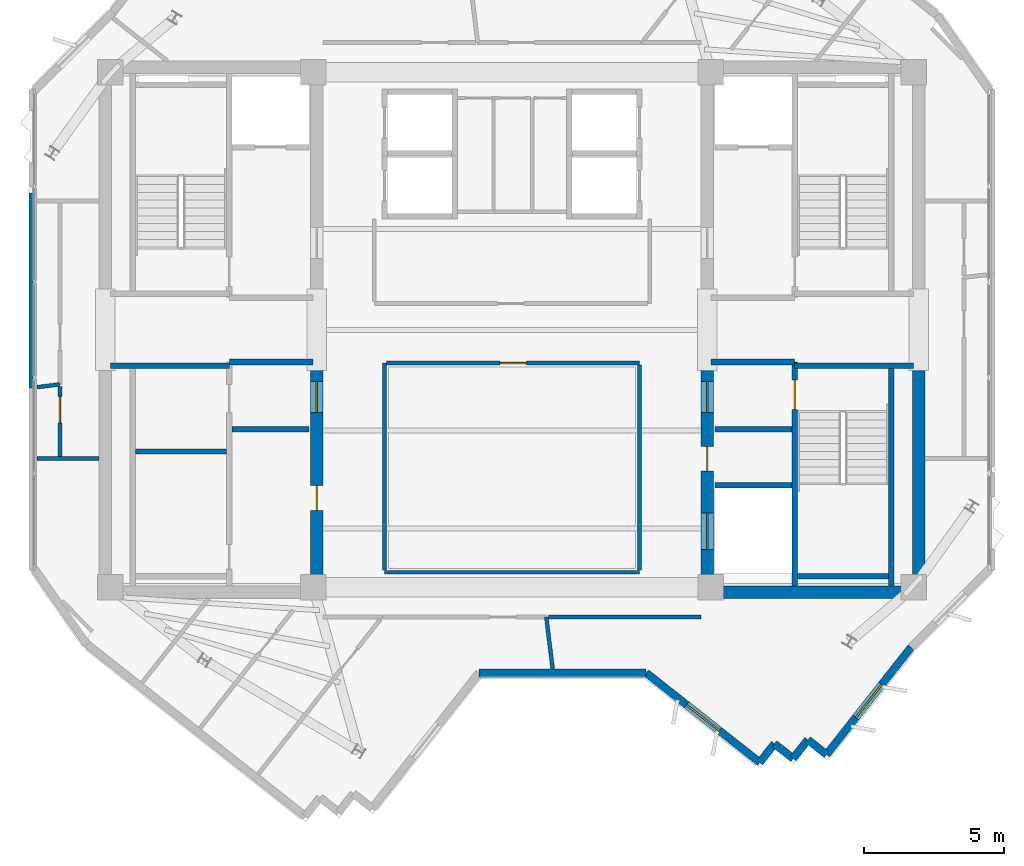
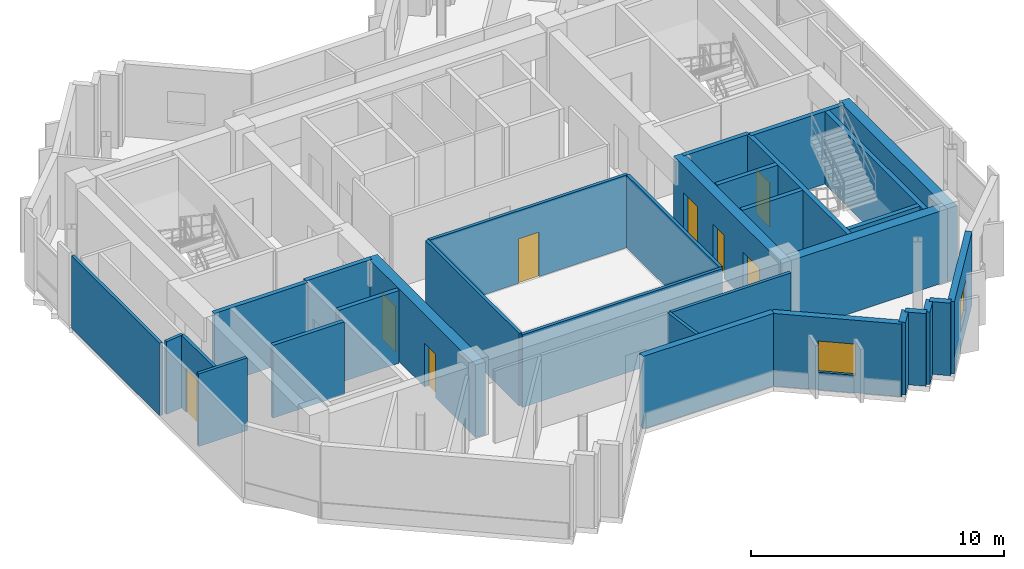
# One storey, part 5 of 10: 32 walls, 8 doors, 2 windows, 10 openings.
"""IFC4 building model written with IfcOpenShell, lengths in metres."""

from ifc_helpers import new_model, si_unit, direction, frame, frame_2d, origin, place, context, subcontext, project, spatial, rectangle, extrude, source, transform, mapped, material, layer, layer_set, type_object, element, fill, save


model = new_model("IFC4")

# Units and contexts
model_context = context("Model", 3, precision=1e-05, world=origin(), true_north=direction((0.0, 1.0)))
body_context = subcontext(model_context, "Body", "Model", "MODEL_VIEW")
ifc_project = project(units=[si_unit("LENGTHUNIT", "METRE"), si_unit("AREAUNIT", "SQUARE_METRE"), si_unit("VOLUMEUNIT", "CUBIC_METRE"), si_unit("PLANEANGLEUNIT", "RADIAN"), si_unit("MASSUNIT", "GRAM", prefix="KILO")], contexts=[model_context])

# Site, building, storey
site_placement = place(None, origin())
site = spatial("IfcSite", under=ifc_project, at=site_placement, CompositionType="ELEMENT")
building_placement = place(site_placement, origin())
building = spatial("IfcBuilding", under=site, at=building_placement, Name="Zahravan Cultural Tower", CompositionType="ELEMENT")
storey_placement = place(building_placement, frame((0.0, 0.0, 327.300048828125)))
storey = spatial("IfcBuildingStorey", under=building, at=storey_placement, Name="L79", CompositionType="ELEMENT", Elevation=327.300048828125)

# Wall, openings, doors
ifc_material_1 = material(Name="Concrete C50/60", Category="concrete")
ifc_layer_1 = layer(ifc_material_1, 0.449951171875)
ifc_layer_set_1 = layer_set([ifc_layer_1], Name="Concrete C50/60")
wall_type_1 = type_object("IfcWallType", Name="CW-SHEAR-450-C50", PredefinedType="SHEAR", material=ifc_layer_set_1)
wall_1_placement = place(storey_placement, frame((29.02490234375, 17.39990234375, 0.0), z_axis=(0.0, 0.0, 1.0), x_axis=(0.0, 1.0, 0.0)))
wall_1 = element("IfcWall", 1, at=wall_1_placement, inside=storey, type_object=wall_type_1, Name="L79 Core Shear Wall CW-W-ES-L79", PredefinedType="SHEAR", context=body_context, shape_type="SweptSolid", body=[
    extrude(rectangle(XDim=8.550048828125, YDim=0.449951171875, at=frame_2d((4.27490234375, 0.0))), origin(), (0.0, 0.0, 1.0), 3.5),
])
opening_1_placement = place(wall_1_placement, frame((6.64990234375, 0.0, 0.0)))
opening_1 = element("IfcOpeningElement", 2, at=opening_1_placement, cuts=wall_1, Name="Opening D-L79-08", PredefinedType="OPENING", context=body_context, shape_type="SweptSolid", body=[
    extrude(rectangle(XDim=1.10009765625, YDim=2.199951171875, at=frame_2d((0.550048828125, 1.10009765625))), frame((0.0, 0.23486328125, 0.0), z_axis=(0.0, -1.0, 0.0), x_axis=(1.0, 0.0, 0.0)), (0.0, 0.0, 1.0), 0.469970703125),
])
opening_2_placement = place(wall_1_placement, frame((3.14990234375, 0.0, 0.0)))
opening_2 = element("IfcOpeningElement", 3, at=opening_2_placement, cuts=wall_1, Name="Opening D-L79-10", PredefinedType="OPENING", context=body_context, shape_type="SweptSolid", body=[
    extrude(rectangle(XDim=0.8798828125, YDim=2.10009765625, at=frame_2d((0.43994140625, 1.050048828125))), frame((0.0, 0.23486328125, 0.0), z_axis=(0.0, -1.0, 0.0), x_axis=(1.0, 0.0, 0.0)), (0.0, 0.0, 1.0), 0.469970703125),
])
ifc_material_2 = material(Name="Steel ASTM A572 Grade 50", Category="steel")
door_type_1 = type_object("IfcDoorType", Name="DR-LOBBY-1100", OperationType="NOTDEFINED", PredefinedType="DOOR", material=ifc_material_2)
shared_shape_1 = source(origin(), body_context, "Body", "SweptSolid", [
    extrude(rectangle(XDim=1.10009765625, YDim=2.199951171875, at=frame_2d((0.550048828125, 1.10009765625))), frame((0.0, 0.02490234375, 0.0), z_axis=(0.0, -1.0, 0.0), x_axis=(1.0, 0.0, 0.0)), (0.0, 0.0, 1.0), 0.050048828125),
])
door_1_placement = place(opening_1_placement, origin())
door_1 = element("IfcDoor", 4, at=door_1_placement, inside=storey, type_object=door_type_1, Name="L79 Door D-L79-08", OperationType="SINGLE_SWING_RIGHT", OverallHeight=2.199951171875, OverallWidth=1.10009765625, PredefinedType="DOOR", context=body_context, shape_type="MappedRepresentation", body=[
    mapped(shared_shape_1, transform((0.0, 0.0, 0.0), x_axis=(1.0, 0.0, 0.0), y_axis=(0.0, 1.0, 0.0), z_axis=(0.0, 0.0, 1.0), scale=1.0)),
])
fill(opening_1, door_1)
door_type_2 = type_object("IfcDoorType", Name="DR-SVC-880", OperationType="NOTDEFINED", PredefinedType="DOOR", material=ifc_material_2)
shared_shape_2 = source(origin(), body_context, "Body", "SweptSolid", [
    extrude(rectangle(XDim=0.8798828125, YDim=2.10009765625, at=frame_2d((0.43994140625, 1.050048828125))), frame((0.0, 0.02490234375, 0.0), z_axis=(0.0, -1.0, 0.0), x_axis=(1.0, 0.0, 0.0)), (0.0, 0.0, 1.0), 0.050048828125),
])
door_2_placement = place(opening_2_placement, origin())
door_2 = element("IfcDoor", 5, at=door_2_placement, inside=storey, type_object=door_type_2, Name="L79 Door D-L79-10", OperationType="SINGLE_SWING_RIGHT", OverallHeight=2.10009765625, OverallWidth=0.8798828125, PredefinedType="DOOR", context=body_context, shape_type="MappedRepresentation", body=[
    mapped(shared_shape_2, transform((0.0, 0.0, 0.0), x_axis=(1.0, 0.0, 0.0), y_axis=(0.0, 1.0, 0.0), z_axis=(0.0, 0.0, 1.0), scale=1.0)),
])
fill(opening_2, door_2)

wall_2_placement = place(storey_placement, frame((42.97509765625, 17.39990234375, 0.0), z_axis=(0.0, 0.0, 1.0), x_axis=(0.0, 1.0, 0.0)))
wall_2 = element("IfcWall", 6, at=wall_2_placement, inside=storey, type_object=wall_type_1, Name="L79 Core Shear Wall CW-E-WS-L79", PredefinedType="SHEAR", context=body_context, shape_type="SweptSolid", body=[
    extrude(rectangle(XDim=8.550048828125, YDim=0.449951171875, at=frame_2d((4.27490234375, 0.0))), origin(), (0.0, 0.0, 1.0), 3.5),
])
opening_3_placement = place(wall_2_placement, frame((6.64990234375, 0.0, 0.0)))
opening_3 = element("IfcOpeningElement", 7, at=opening_3_placement, cuts=wall_2, Name="Opening D-L79-09", PredefinedType="OPENING", context=body_context, shape_type="SweptSolid", body=[
    extrude(rectangle(XDim=1.10009765625, YDim=2.199951171875, at=frame_2d((0.550048828125, 1.10009765625))), frame((0.0, 0.23486328125, 0.0), z_axis=(0.0, -1.0, 0.0), x_axis=(1.0, 0.0, 0.0)), (0.0, 0.0, 1.0), 0.469970703125),
])
opening_4_placement = place(wall_2_placement, frame((1.75, 0.0, 0.0)))
opening_4 = element("IfcOpeningElement", 8, at=opening_4_placement, cuts=wall_2, Name="Opening LD-L79-03", PredefinedType="OPENING", context=body_context, shape_type="SweptSolid", body=[
    extrude(rectangle(XDim=1.300048828125, YDim=2.199951171875, at=frame_2d((0.64990234375, 1.10009765625))), frame((0.0, 0.23486328125, 0.0), z_axis=(0.0, -1.0, 0.0), x_axis=(1.0, 0.0, 0.0)), (0.0, 0.0, 1.0), 0.469970703125),
])
opening_5_placement = place(wall_2_placement, frame((4.550048828125, 0.0, 0.0)))
opening_5 = element("IfcOpeningElement", 9, at=opening_5_placement, cuts=wall_2, Name="Opening D-L79-11", PredefinedType="OPENING", context=body_context, shape_type="SweptSolid", body=[
    extrude(rectangle(XDim=0.8798828125, YDim=2.10009765625, at=frame_2d((0.43994140625, 1.050048828125))), frame((0.0, 0.23486328125, 0.0), z_axis=(0.0, -1.0, 0.0), x_axis=(1.0, 0.0, 0.0)), (0.0, 0.0, 1.0), 0.469970703125),
])
door_3_placement = place(opening_3_placement, origin())
door_3 = element("IfcDoor", 10, at=door_3_placement, inside=storey, type_object=door_type_1, Name="L79 Door D-L79-09", OperationType="SINGLE_SWING_LEFT", OverallHeight=2.199951171875, OverallWidth=1.10009765625, PredefinedType="DOOR", context=body_context, shape_type="MappedRepresentation", body=[
    mapped(shared_shape_1, transform((0.0, 0.0, 0.0), x_axis=(1.0, 0.0, 0.0), y_axis=(0.0, 1.0, 0.0), z_axis=(0.0, 0.0, 1.0), scale=1.0)),
])
fill(opening_3, door_3)
door_type_3 = type_object("IfcDoorType", Name="DR-LIFT-1300", OperationType="DOUBLE_DOOR_SLIDING", PredefinedType="DOOR", material=ifc_material_2)
shared_shape_3 = source(origin(), body_context, "Body", "SweptSolid", [
    extrude(rectangle(XDim=1.300048828125, YDim=2.199951171875, at=frame_2d((0.64990234375, 1.10009765625))), frame((0.0, 0.02490234375, 0.0), z_axis=(0.0, -1.0, 0.0), x_axis=(1.0, 0.0, 0.0)), (0.0, 0.0, 1.0), 0.050048828125),
])
door_4_placement = place(opening_4_placement, origin())
door_4 = element("IfcDoor", 11, at=door_4_placement, inside=storey, type_object=door_type_3, Name="L79 Door LD-L79-03", OperationType="DOUBLE_DOOR_SLIDING", OverallHeight=2.199951171875, OverallWidth=1.300048828125, PredefinedType="DOOR", context=body_context, shape_type="MappedRepresentation", body=[
    mapped(shared_shape_3, transform((0.0, 0.0, 0.0), x_axis=(1.0, 0.0, 0.0), y_axis=(0.0, 1.0, 0.0), z_axis=(0.0, 0.0, 1.0), scale=1.0)),
])
fill(opening_4, door_4)
door_5_placement = place(opening_5_placement, origin())
door_5 = element("IfcDoor", 12, at=door_5_placement, inside=storey, type_object=door_type_2, Name="L79 Door D-L79-11", OperationType="SINGLE_SWING_LEFT", OverallHeight=2.10009765625, OverallWidth=0.8798828125, PredefinedType="DOOR", context=body_context, shape_type="MappedRepresentation", body=[
    mapped(shared_shape_2, transform((0.0, 0.0, 0.0), x_axis=(1.0, 0.0, 0.0), y_axis=(0.0, 1.0, 0.0), z_axis=(0.0, 0.0, 1.0), scale=1.0)),
])
fill(opening_5, door_5)

# Wall, opening, window
ifc_material_3 = material(Name="Precast concrete C40/50", Category="concrete")
ifc_layer_2 = layer(ifc_material_3, 0.280029296875)
ifc_layer_set_2 = layer_set([ifc_layer_2], Name="Precast concrete C40/50")
wall_type_2 = type_object("IfcWallType", Name="EW-TC-280", PredefinedType="SOLIDWALL", material=ifc_layer_set_2)
wall_3_placement = place(storey_placement, frame((50.257568359375, 15.655517578125, 0.0), z_axis=(0.0, 0.0, 1.0), x_axis=(-0.619093990715, -0.785316898239, 0.0)))
wall_3 = element("IfcWall", 13, at=wall_3_placement, inside=storey, type_object=wall_type_2, Name="L79 Exterior Masonry Frame Wall 17", PredefinedType="SOLIDWALL", context=body_context, shape_type="SweptSolid", body=[
    extrude(rectangle(XDim=4.877685546875, YDim=0.280029296875, at=frame_2d((2.43896484375, 0.0))), origin(), (0.0, 0.0, 1.0), 3.5),
])
opening_6_placement = place(wall_3_placement, frame((1.68896484375, 0.0, 0.85009765625)))
opening_6 = element("IfcOpeningElement", 14, at=opening_6_placement, cuts=wall_3, Name="Opening WN-03", PredefinedType="OPENING", context=body_context, shape_type="SweptSolid", body=[
    extrude(rectangle(XDim=1.5, YDim=1.5, at=frame_2d((0.75, 0.75))), frame((0.0, 0.14990234375, 0.0), z_axis=(0.0, -1.0, 0.0), x_axis=(1.0, 0.0, 0.0)), (0.0, 0.0, 1.0), 0.300048828125),
])
ifc_material_4 = material(Name="Low-E solar-control double glazing", Category="glass")
window_type = type_object("IfcWindowType", Name="WN-REC-1500X1500", PartitioningType="SINGLE_PANEL", PredefinedType="WINDOW", material=ifc_material_4)
shared_shape_4 = source(origin(), body_context, "Body", "SweptSolid", [
    extrude(rectangle(XDim=1.5, YDim=1.5, at=frame_2d((0.75, 0.75))), frame((0.0, 0.030029296875, 0.0), z_axis=(0.0, -1.0, 0.0), x_axis=(1.0, 0.0, 0.0)), (0.0, 0.0, 1.0), 0.06005859375),
])
window_1_placement = place(opening_6_placement, origin())
window_1 = element("IfcWindow", 15, at=window_1_placement, inside=storey, type_object=window_type, Name="L79 Recessed Solar Window 06", OverallHeight=1.5, OverallWidth=1.5, PartitioningType="SINGLE_PANEL", PredefinedType="WINDOW", context=body_context, shape_type="MappedRepresentation", body=[
    mapped(shared_shape_4, transform((0.0, 0.0, 0.0), x_axis=(1.0, 0.0, 0.0), y_axis=(0.0, 1.0, 0.0), z_axis=(0.0, 0.0, 1.0), scale=1.0)),
])
fill(opening_6, window_1)

wall_4_placement = place(storey_placement, frame((44.85009765625, 11.542236328125, 0.0), z_axis=(0.0, 0.0, 1.0), x_axis=(-0.78530363687, 0.61911081231, 0.0)))
wall_4 = element("IfcWall", 16, at=wall_4_placement, inside=storey, type_object=wall_type_2, Name="L79 Exterior Masonry Frame Wall 22", PredefinedType="SOLIDWALL", context=body_context, shape_type="SweptSolid", body=[
    extrude(rectangle(XDim=5.1650390625, YDim=0.280029296875, at=frame_2d((2.58251953125, 0.0))), origin(), (0.0, 0.0, 1.0), 3.5),
])
opening_7_placement = place(wall_4_placement, frame((1.8330078125, 0.0, 0.85009765625)))
opening_7 = element("IfcOpeningElement", 17, at=opening_7_placement, cuts=wall_4, Name="Opening WN-03", PredefinedType="OPENING", context=body_context, shape_type="SweptSolid", body=[
    extrude(rectangle(XDim=1.5, YDim=1.5, at=frame_2d((0.75, 0.75))), frame((0.0, 0.14990234375, 0.0), z_axis=(0.0, -1.0, 0.0), x_axis=(1.0, 0.0, 0.0)), (0.0, 0.0, 1.0), 0.300048828125),
])
window_2_placement = place(opening_7_placement, origin())
window_2 = element("IfcWindow", 18, at=window_2_placement, inside=storey, type_object=window_type, Name="L79 Recessed Solar Window 07", OverallHeight=1.5, OverallWidth=1.5, PartitioningType="SINGLE_PANEL", PredefinedType="WINDOW", context=body_context, shape_type="MappedRepresentation", body=[
    mapped(shared_shape_4, transform((0.0, 0.0, 0.0), x_axis=(1.0, 0.0, 0.0), y_axis=(0.0, 1.0, 0.0), z_axis=(0.0, 0.0, 1.0), scale=1.0)),
])
fill(opening_7, window_2)

# Wall, opening, door
ifc_material_5 = material(Name="Gypsum plasterboard partition")
ifc_layer_3 = layer(ifc_material_5, 0.139892578125)
ifc_layer_set_3 = layer_set([ifc_layer_3], Name="Gypsum plasterboard partition")
wall_type_3 = type_object("IfcWallType", Name="W-PART-140", PredefinedType="PARTITIONING", material=ifc_layer_set_3)
wall_5_placement = place(storey_placement, frame((19.85009765625, 24.974609375, 0.0), z_axis=(0.0, 0.0, 1.0), x_axis=(0.000379434615, -0.999999928015, 0.0)))
wall_5 = element("IfcWall", 19, at=wall_5_placement, inside=storey, type_object=wall_type_3, Name="L79 Interior Wall 064", PredefinedType="PARTITIONING", context=body_context, shape_type="SweptSolid", body=[
    extrude(rectangle(XDim=2.57373046875, YDim=0.139892578125, at=frame_2d((1.286865234375, 0.0))), origin(), (0.0, 0.0, 1.0), 3.5),
])
opening_8_placement = place(wall_5_placement, frame((0.357177734375, 0.0, 0.0)))
opening_8 = element("IfcOpeningElement", 20, at=opening_8_placement, cuts=wall_5, Name="Opening D-L79-21", PredefinedType="OPENING", context=body_context, shape_type="SweptSolid", body=[
    extrude(rectangle(XDim=0.949951171875, YDim=2.14990234375, at=frame_2d((0.47509765625, 1.074951171875))), frame((0.0, 0.079833984375, 0.0), z_axis=(0.0, -1.0, 0.0), x_axis=(1.0, 0.0, 0.0)), (0.0, 0.0, 1.0), 0.159912109375),
])
ifc_material_6 = material(Name="Anodised bronze-aluminium mullion", Category="aluminium")
door_type_4 = type_object("IfcDoorType", Name="DR-ROOM-950", OperationType="NOTDEFINED", PredefinedType="DOOR", material=ifc_material_6)
shared_shape_5 = source(origin(), body_context, "Body", "SweptSolid", [
    extrude(rectangle(XDim=0.949951171875, YDim=2.14990234375, at=frame_2d((0.47509765625, 1.074951171875))), frame((0.0, 0.02490234375, 0.0), z_axis=(0.0, -1.0, 0.0), x_axis=(1.0, 0.0, 0.0)), (0.0, 0.0, 1.0), 0.050048828125),
])
door_6_placement = place(opening_8_placement, origin())
door_6 = element("IfcDoor", 21, at=door_6_placement, inside=storey, type_object=door_type_4, Name="L79 Door D-L79-21", OperationType="SINGLE_SWING_LEFT", OverallHeight=2.14990234375, OverallWidth=0.949951171875, PredefinedType="DOOR", context=body_context, shape_type="MappedRepresentation", body=[
    mapped(shared_shape_5, transform((0.0, 0.0, 0.0), x_axis=(1.0, 0.0, 0.0), y_axis=(0.0, 1.0, 0.0), z_axis=(0.0, 0.0, 1.0), scale=1.0)),
])
fill(opening_8, door_6)

wall_6_placement = place(storey_placement, frame((31.514892578125, 25.81005859375, 0.0), z_axis=(0.0, 0.0, 1.0), x_axis=(1.0, 0.0, 0.0)))
wall_6 = element("IfcWall", 22, at=wall_6_placement, inside=storey, type_object=wall_type_3, Name="L79 Interior Wall 089", PredefinedType="PARTITIONING", context=body_context, shape_type="SweptSolid", body=[
    extrude(rectangle(XDim=9.045166015625, YDim=0.139892578125, at=frame_2d((4.5224609375, 0.0))), origin(), (0.0, 0.0, 1.0), 3.5),
])
opening_9_placement = place(wall_6_placement, frame((4.047607421875, 0.0, 0.0)))
opening_9 = element("IfcOpeningElement", 23, at=opening_9_placement, cuts=wall_6, Name="Opening D-L79-12", PredefinedType="OPENING", context=body_context, shape_type="SweptSolid", body=[
    extrude(rectangle(XDim=0.949951171875, YDim=2.14990234375, at=frame_2d((0.47509765625, 1.074951171875))), frame((0.0, 0.079833984375, 0.0), z_axis=(0.0, -1.0, 0.0), x_axis=(1.0, 0.0, 0.0)), (0.0, 0.0, 1.0), 0.159912109375),
])
door_7_placement = place(opening_9_placement, origin())
door_7 = element("IfcDoor", 24, at=door_7_placement, inside=storey, type_object=door_type_4, Name="L79 Door D-L79-12", OperationType="SINGLE_SWING_RIGHT", OverallHeight=2.14990234375, OverallWidth=0.949951171875, PredefinedType="DOOR", context=body_context, shape_type="MappedRepresentation", body=[
    mapped(shared_shape_5, transform((0.0, 0.0, 0.0), x_axis=(1.0, 0.0, 0.0), y_axis=(0.0, 1.0, 0.0), z_axis=(0.0, 0.0, 1.0), scale=1.0)),
])
fill(opening_9, door_7)

ifc_material_7 = material(Name="Concrete C45/55", Category="concrete")
ifc_layer_4 = layer(ifc_material_7, 0.199951171875)
ifc_layer_set_4 = layer_set([ifc_layer_4], Name="Concrete C45/55")
wall_type_4 = type_object("IfcWallType", Name="W-SHAFT-200", PredefinedType="SOLIDWALL", material=ifc_layer_set_4)
wall_7_placement = place(storey_placement, frame((46.10009765625, 17.85009765625, 0.0), z_axis=(0.0, 0.0, 1.0), x_axis=(0.0, 1.0, 0.0)))
wall_7 = element("IfcWall", 25, at=wall_7_placement, inside=storey, type_object=wall_type_4, Name="L79 Interior Wall 007", PredefinedType="SOLIDWALL", context=body_context, shape_type="SweptSolid", body=[
    extrude(rectangle(XDim=8.0, YDim=0.199951171875, at=frame_2d((4.0, 0.0))), origin(), (0.0, 0.0, 1.0), 3.5),
])
opening_10_placement = place(wall_7_placement, frame((6.300048828125, 0.0, 0.0)))
opening_10 = element("IfcOpeningElement", 26, at=opening_10_placement, cuts=wall_7, Name="Opening D-L79-03", PredefinedType="OPENING", context=body_context, shape_type="SweptSolid", body=[
    extrude(rectangle(XDim=1.050048828125, YDim=2.14990234375, at=frame_2d((0.52490234375, 1.074951171875))), frame((0.0, 0.10986328125, 0.0), z_axis=(0.0, -1.0, 0.0), x_axis=(1.0, 0.0, 0.0)), (0.0, 0.0, 1.0), 0.219970703125),
])
door_type_5 = type_object("IfcDoorType", Name="DR-STAIR-1050", OperationType="NOTDEFINED", PredefinedType="DOOR", material=ifc_material_2)
shared_shape_6 = source(origin(), body_context, "Body", "SweptSolid", [
    extrude(rectangle(XDim=1.050048828125, YDim=2.14990234375, at=frame_2d((0.52490234375, 1.074951171875))), frame((0.0, 0.02490234375, 0.0), z_axis=(0.0, -1.0, 0.0), x_axis=(1.0, 0.0, 0.0)), (0.0, 0.0, 1.0), 0.050048828125),
])
door_8_placement = place(opening_10_placement, origin())
door_8 = element("IfcDoor", 27, at=door_8_placement, inside=storey, type_object=door_type_5, Name="L79 Door D-L79-03", OperationType="SINGLE_SWING_LEFT", OverallHeight=2.14990234375, OverallWidth=1.050048828125, PredefinedType="DOOR", context=body_context, shape_type="MappedRepresentation", body=[
    mapped(shared_shape_6, transform((0.0, 0.0, 0.0), x_axis=(1.0, 0.0, 0.0), y_axis=(0.0, 1.0, 0.0), z_axis=(0.0, 0.0, 1.0), scale=1.0)),
])
fill(opening_10, door_8)

# Walls
shared_shape_7 = source(origin(), body_context, "Body", "SweptSolid", [
    extrude(rectangle(XDim=8.550048828125, YDim=0.449951171875, at=frame_2d((4.27490234375, 0.0))), origin(), (0.0, 0.0, 1.0), 3.5),
])
wall_8_placement = place(storey_placement, frame((50.52490234375, 17.39990234375, 0.0), z_axis=(0.0, 0.0, 1.0), x_axis=(0.0, 1.0, 0.0)))
element("IfcWall", 28, at=wall_8_placement, inside=storey, type_object=wall_type_1, Name="L79 Core Shear Wall CW-E-ES-L79", PredefinedType="SHEAR", context=body_context, shape_type="MappedRepresentation", body=[
    mapped(shared_shape_7, transform((0.0, 0.0, 0.0), x_axis=(1.0, 0.0, 0.0), y_axis=(0.0, 1.0, 0.0), z_axis=(0.0, 0.0, 1.0), scale=1.0)),
])
shared_shape_8 = source(origin(), body_context, "Body", "SweptSolid", [
    extrude(rectangle(XDim=7.10009765625, YDim=0.449951171875, at=frame_2d((3.550048828125, 0.0))), origin(), (0.0, 0.0, 1.0), 3.5),
])
wall_9_placement = place(storey_placement, frame((43.199951171875, 17.625, 0.0), z_axis=(0.0, 0.0, 1.0), x_axis=(1.0, 0.0, 0.0)))
element("IfcWall", 29, at=wall_9_placement, inside=storey, type_object=wall_type_1, Name="L79 Core Shear Wall CW-E-S-L79", PredefinedType="SHEAR", context=body_context, shape_type="MappedRepresentation", body=[
    mapped(shared_shape_8, transform((0.0, 0.0, 0.0), x_axis=(1.0, 0.0, 0.0), y_axis=(0.0, 1.0, 0.0), z_axis=(0.0, 0.0, 1.0), scale=1.0)),
])
shared_shape_9 = source(origin(), body_context, "Body", "SweptSolid", [
    extrude(rectangle(XDim=0.85009765625, YDim=0.280029296875, at=frame_2d((0.425048828125, 0.0))), origin(), (0.0, 0.0, 1.0), 3.5),
])
for number, where, z_axis, x_axis, name in (
    (30, (46.5703125, 12.35107421875, 0.0), (0.0, 0.0, 1.0), (-0.619215838066, -0.785220826193, 0.0), "L79 Exterior Masonry Frame Wall 19"),
    (31, (46.0439453125, 11.68359375, 0.0), (0.0, 0.0, 1.0), (-0.785220826193, 0.619215838066, 0.0), "L79 Exterior Masonry Frame Wall 20"),
):
    element("IfcWall", number, at=place(storey_placement, frame(where, z_axis=z_axis, x_axis=x_axis)), inside=storey, type_object=wall_type_2, Name=name, PredefinedType="SOLIDWALL", context=body_context, shape_type="MappedRepresentation", body=[
        mapped(shared_shape_9, transform((0.0, 0.0, 0.0), x_axis=(1.0, 0.0, 0.0), y_axis=(0.0, 1.0, 0.0), z_axis=(0.0, 0.0, 1.0), scale=1.0)),
    ])
shared_shape_10 = source(origin(), body_context, "Body", "SweptSolid", [
    extrude(rectangle(XDim=0.849853515625, YDim=0.280029296875, at=frame_2d((0.4248046875, 0.0))), origin(), (0.0, 0.0, 1.0), 3.5),
])
wall_10_placement = place(storey_placement, frame((47.23779296875, 11.824951171875, 0.0), z_axis=(0.0, 0.0, 1.0), x_axis=(-0.785360476625, 0.619038707801, 0.0)))
element("IfcWall", 32, at=wall_10_placement, inside=storey, type_object=wall_type_2, Name="L79 Exterior Masonry Frame Wall 18", PredefinedType="SOLIDWALL", context=body_context, shape_type="MappedRepresentation", body=[
    mapped(shared_shape_10, transform((0.0, 0.0, 0.0), x_axis=(1.0, 0.0, 0.0), y_axis=(0.0, 1.0, 0.0), z_axis=(0.0, 0.0, 1.0), scale=1.0)),
])
shared_shape_11 = source(origin(), body_context, "Body", "SweptSolid", [
    extrude(rectangle(XDim=0.850341796875, YDim=0.280029296875, at=frame_2d((0.42529296875, 0.0))), origin(), (0.0, 0.0, 1.0), 3.5),
])
wall_11_placement = place(storey_placement, frame((45.37646484375, 12.2099609375, 0.0), z_axis=(0.0, 0.0, 1.0), x_axis=(-0.619076214196, -0.785330911793, 0.0)))
element("IfcWall", 33, at=wall_11_placement, inside=storey, type_object=wall_type_2, Name="L79 Exterior Masonry Frame Wall 21", PredefinedType="SOLIDWALL", context=body_context, shape_type="MappedRepresentation", body=[
    mapped(shared_shape_11, transform((0.0, 0.0, 0.0), x_axis=(1.0, 0.0, 0.0), y_axis=(0.0, 1.0, 0.0), z_axis=(0.0, 0.0, 1.0), scale=1.0)),
])
shared_shape_12 = source(origin(), body_context, "Body", "SweptSolid", [
    extrude(rectangle(XDim=5.978271484375, YDim=0.280029296875, at=frame_2d((2.9892578125, 0.0))), origin(), (0.0, 0.0, 1.0), 3.5),
])
wall_12_placement = place(storey_placement, frame((40.7939453125, 14.739990234375, 0.0), z_axis=(0.0, 0.0, 1.0), x_axis=(-1.0, 0.0, 0.0)))
element("IfcWall", 34, at=wall_12_placement, inside=storey, type_object=wall_type_2, Name="L79 Exterior Masonry Frame Wall 23", PredefinedType="SOLIDWALL", context=body_context, shape_type="MappedRepresentation", body=[
    mapped(shared_shape_12, transform((0.0, 0.0, 0.0), x_axis=(1.0, 0.0, 0.0), y_axis=(0.0, 1.0, 0.0), z_axis=(0.0, 0.0, 1.0), scale=1.0)),
])
shared_shape_13 = source(origin(), body_context, "Body", "SweptSolid", [
    extrude(rectangle(XDim=7.869873046875, YDim=0.199951171875, at=frame_2d((3.93505859375, 0.0))), origin(), (0.0, 0.0, 1.0), 3.5),
])
wall_13_placement = place(storey_placement, frame((49.550048828125, 17.85009765625, 0.0), z_axis=(0.0, 0.0, 1.0), x_axis=(0.0, 1.0, 0.0)))
element("IfcWall", 35, at=wall_13_placement, inside=storey, type_object=wall_type_4, Name="L79 Interior Wall 003", PredefinedType="SOLIDWALL", context=body_context, shape_type="MappedRepresentation", body=[
    mapped(shared_shape_13, transform((0.0, 0.0, 0.0), x_axis=(1.0, 0.0, 0.0), y_axis=(0.0, 1.0, 0.0), z_axis=(0.0, 0.0, 1.0), scale=1.0)),
])
shared_shape_14 = source(origin(), body_context, "Body", "SweptSolid", [
    extrude(rectangle(XDim=4.25, YDim=0.199951171875, at=frame_2d((2.125, 0.0))), origin(), (0.0, 0.0, 1.0), 3.5),
])
for number, where, z_axis, x_axis, name in (
    (36, (21.64990234375, 25.715087890625, 0.0), (0.0, 0.0, 1.0), (1.0, 0.0, 0.0), "L79 Interior Wall 009"),
    (37, (46.10009765625, 25.715087890625, 0.0), (0.0, 0.0, 1.0), (1.0, 0.0, 0.0), "L79 Interior Wall 014"),
):
    element("IfcWall", number, at=place(storey_placement, frame(where, z_axis=z_axis, x_axis=x_axis)), inside=storey, type_object=wall_type_4, Name=name, PredefinedType="SOLIDWALL", context=body_context, shape_type="MappedRepresentation", body=[
        mapped(shared_shape_14, transform((0.0, 0.0, 0.0), x_axis=(1.0, 0.0, 0.0), y_axis=(0.0, 1.0, 0.0), z_axis=(0.0, 0.0, 1.0), scale=1.0)),
    ])
shared_shape_15 = source(origin(), body_context, "Body", "SweptSolid", [
    extrude(rectangle(XDim=3.0, YDim=0.199951171875, at=frame_2d((1.5, 0.0))), origin(), (0.0, 0.0, 1.0), 3.5),
])
for number, where, z_axis, x_axis, name in (
    (38, (25.89990234375, 25.85009765625, 0.0), (0.0, 0.0, 1.0), (1.0, 0.0, 0.0), "L79 Interior Wall 010"),
    (39, (43.10009765625, 25.85009765625, 0.0), (0.0, 0.0, 1.0), (1.0, 0.0, 0.0), "L79 Interior Wall 013"),
):
    element("IfcWall", number, at=place(storey_placement, frame(where, z_axis=z_axis, x_axis=x_axis)), inside=storey, type_object=wall_type_4, Name=name, PredefinedType="SOLIDWALL", context=body_context, shape_type="MappedRepresentation", body=[
        mapped(shared_shape_15, transform((0.0, 0.0, 0.0), x_axis=(1.0, 0.0, 0.0), y_axis=(0.0, 1.0, 0.0), z_axis=(0.0, 0.0, 1.0), scale=1.0)),
    ])
shared_shape_16 = source(origin(), body_context, "Body", "SweptSolid", [
    extrude(rectangle(XDim=3.25, YDim=0.199951171875, at=frame_2d((1.625, 0.0))), origin(), (0.0, 0.0, 1.0), 3.5),
])
wall_14_placement = place(storey_placement, frame((46.199951171875, 18.199951171875, 0.0), z_axis=(0.0, 0.0, 1.0), x_axis=(1.0, 0.0, 0.0)))
element("IfcWall", 40, at=wall_14_placement, inside=storey, type_object=wall_type_4, Name="L79 Interior Wall 020", PredefinedType="SOLIDWALL", context=body_context, shape_type="MappedRepresentation", body=[
    mapped(shared_shape_16, transform((0.0, 0.0, 0.0), x_axis=(1.0, 0.0, 0.0), y_axis=(0.0, 1.0, 0.0), z_axis=(0.0, 0.0, 1.0), scale=1.0)),
])
ifc_layer_5 = layer(ifc_material_5, 0.179931640625)
ifc_layer_set_5 = layer_set([ifc_layer_5], Name="Gypsum plasterboard partition")
wall_type_5 = type_object("IfcWallType", Name="W-COMP-180", PredefinedType="PARTITIONING", material=ifc_layer_set_5)
shared_shape_17 = source(origin(), body_context, "Body", "SweptSolid", [
    extrude(rectangle(XDim=3.25, YDim=0.179931640625, at=frame_2d((1.625, 0.0))), origin(), (0.0, 0.0, 1.0), 3.5),
])
wall_15_placement = place(storey_placement, frame((22.550048828125, 22.64990234375, 0.0), z_axis=(0.0, 0.0, 1.0), x_axis=(1.0, 0.0, 0.0)))
element("IfcWall", 41, at=wall_15_placement, inside=storey, type_object=wall_type_5, Name="L79 Interior Wall 021", PredefinedType="PARTITIONING", context=body_context, shape_type="MappedRepresentation", body=[
    mapped(shared_shape_17, transform((0.0, 0.0, 0.0), x_axis=(1.0, 0.0, 0.0), y_axis=(0.0, 1.0, 0.0), z_axis=(0.0, 0.0, 1.0), scale=1.0)),
])
shared_shape_18 = source(origin(), body_context, "Body", "SweptSolid", [
    extrude(rectangle(XDim=2.75, YDim=0.199951171875, at=frame_2d((1.375, 0.0))), origin(), (0.0, 0.0, 1.0), 3.5),
])
for number, where, z_axis, x_axis, name in (
    (42, (26.0, 23.449951171875, 0.0), (0.0, 0.0, 1.0), (1.0, 0.0, 0.0), "L79 Interior Wall 024"),
    (43, (43.25, 23.449951171875, 0.0), (0.0, 0.0, 1.0), (1.0, 0.0, 0.0), "L79 Interior Wall 025"),
    (44, (43.25, 21.449951171875, 0.0), (0.0, 0.0, 1.0), (1.0, 0.0, 0.0), "L79 Interior Wall 026"),
):
    element("IfcWall", number, at=place(storey_placement, frame(where, z_axis=z_axis, x_axis=x_axis)), inside=storey, type_object=wall_type_4, Name=name, PredefinedType="SOLIDWALL", context=body_context, shape_type="MappedRepresentation", body=[
        mapped(shared_shape_18, transform((0.0, 0.0, 0.0), x_axis=(1.0, 0.0, 0.0), y_axis=(0.0, 1.0, 0.0), z_axis=(0.0, 0.0, 1.0), scale=1.0)),
    ])
shared_shape_19 = source(origin(), body_context, "Body", "SweptSolid", [
    extrude(rectangle(XDim=9.1201171875, YDim=0.139892578125, at=frame_2d((4.56005859375, 0.0))), origin(), (0.0, 0.0, 1.0), 3.5),
])
wall_16_placement = place(storey_placement, frame((40.56005859375, 18.340087890625, 0.0), z_axis=(0.0, 0.0, 1.0), x_axis=(-1.0, 0.0, 0.0)))
element("IfcWall", 45, at=wall_16_placement, inside=storey, type_object=wall_type_3, Name="L79 Interior Wall 087", PredefinedType="PARTITIONING", context=body_context, shape_type="MappedRepresentation", body=[
    mapped(shared_shape_19, transform((0.0, 0.0, 0.0), x_axis=(1.0, 0.0, 0.0), y_axis=(0.0, 1.0, 0.0), z_axis=(0.0, 0.0, 1.0), scale=1.0)),
])
shared_shape_20 = source(origin(), body_context, "Body", "SweptSolid", [
    extrude(rectangle(XDim=7.39501953125, YDim=0.139892578125, at=frame_2d((3.697509765625, 0.0))), origin(), (0.0, 0.0, 1.0), 3.5),
])
wall_17_placement = place(storey_placement, frame((31.43994140625, 18.4150390625, 0.0), z_axis=(0.0, 0.0, 1.0), x_axis=(0.0, 1.0, 0.0)))
element("IfcWall", 46, at=wall_17_placement, inside=storey, type_object=wall_type_3, Name="L79 Interior Wall 088", PredefinedType="PARTITIONING", context=body_context, shape_type="MappedRepresentation", body=[
    mapped(shared_shape_20, transform((0.0, 0.0, 0.0), x_axis=(1.0, 0.0, 0.0), y_axis=(0.0, 1.0, 0.0), z_axis=(0.0, 0.0, 1.0), scale=1.0)),
])
shared_shape_21 = source(origin(), body_context, "Body", "SweptSolid", [
    extrude(rectangle(XDim=7.320068359375, YDim=0.139892578125, at=frame_2d((3.66015625, 0.0))), origin(), (0.0, 0.0, 1.0), 3.5),
])
wall_18_placement = place(storey_placement, frame((40.56005859375, 25.735107421875, 0.0), z_axis=(0.0, 0.0, 1.0), x_axis=(0.0, -1.0, 0.0)))
element("IfcWall", 47, at=wall_18_placement, inside=storey, type_object=wall_type_3, Name="L79 Interior Wall 090", PredefinedType="PARTITIONING", context=body_context, shape_type="MappedRepresentation", body=[
    mapped(shared_shape_21, transform((0.0, 0.0, 0.0), x_axis=(1.0, 0.0, 0.0), y_axis=(0.0, 1.0, 0.0), z_axis=(0.0, 0.0, 1.0), scale=1.0)),
])
shared_shape_22 = source(origin(), body_context, "Body", "SweptSolid", [
    extrude(rectangle(XDim=2.215087890625, YDim=0.139892578125, at=frame_2d((1.107421875, 0.0))), origin(), (0.0, 0.0, 1.0), 3.5),
])
wall_19_placement = place(storey_placement, frame((19.030029296875, 22.401611328125, 0.0), z_axis=(0.0, 0.0, 1.0), x_axis=(0.999999702379, -0.000771519665, 0.0)))
element("IfcWall", 48, at=wall_19_placement, inside=storey, type_object=wall_type_3, Name="L79 Interior Wall 065", PredefinedType="PARTITIONING", context=body_context, shape_type="MappedRepresentation", body=[
    mapped(shared_shape_22, transform((0.0, 0.0, 0.0), x_axis=(1.0, 0.0, 0.0), y_axis=(0.0, 1.0, 0.0), z_axis=(0.0, 0.0, 1.0), scale=1.0)),
])
shared_shape_23 = source(origin(), body_context, "Body", "SweptSolid", [
    extrude(rectangle(XDim=0.82080078125, YDim=0.139892578125, at=frame_2d((0.410400390625, 0.0))), origin(), (0.0, 0.0, 1.0), 3.5),
])
wall_20_placement = place(storey_placement, frame((19.849609375, 25.050048828125, 0.0), z_axis=(0.0, 0.0, 1.0), x_axis=(-0.992500466698, -0.122240842617, 0.0)))
element("IfcWall", 49, at=wall_20_placement, inside=storey, type_object=wall_type_3, Name="L79 Interior Wall 059", PredefinedType="PARTITIONING", context=body_context, shape_type="MappedRepresentation", body=[
    mapped(shared_shape_23, transform((0.0, 0.0, 0.0), x_axis=(1.0, 0.0, 0.0), y_axis=(0.0, 1.0, 0.0), z_axis=(0.0, 0.0, 1.0), scale=1.0)),
])
shared_shape_24 = source(origin(), body_context, "Body", "SweptSolid", [
    extrude(rectangle(XDim=6.968017578125, YDim=0.139892578125, at=frame_2d((3.48388671875, 0.0))), origin(), (0.0, 0.0, 1.0), 3.5),
])
wall_21_placement = place(storey_placement, frame((18.820068359375, 24.92333984375, 0.0), z_axis=(0.0, 0.0, 1.0), x_axis=(0.0, 1.0, 0.0)))
element("IfcWall", 50, at=wall_21_placement, inside=storey, type_object=wall_type_3, Name="L79 Interior Wall 060", PredefinedType="PARTITIONING", context=body_context, shape_type="MappedRepresentation", body=[
    mapped(shared_shape_24, transform((0.0, 0.0, 0.0), x_axis=(1.0, 0.0, 0.0), y_axis=(0.0, 1.0, 0.0), z_axis=(0.0, 0.0, 1.0), scale=1.0)),
])
shared_shape_25 = source(origin(), body_context, "Body", "SweptSolid", [
    extrude(rectangle(XDim=1.86865234375, YDim=0.139892578125, at=frame_2d((0.934326171875, 0.0))), origin(), (0.0, 0.0, 1.0), 3.5),
])
wall_22_placement = place(storey_placement, frame((37.224609375, 16.73974609375, 0.0), z_axis=(0.0, 0.0, 1.0), x_axis=(0.122153221409, -0.992511254596, 0.0)))
element("IfcWall", 51, at=wall_22_placement, inside=storey, type_object=wall_type_3, Name="L79 Interior Wall 079", PredefinedType="PARTITIONING", context=body_context, shape_type="MappedRepresentation", body=[
    mapped(shared_shape_25, transform((0.0, 0.0, 0.0), x_axis=(1.0, 0.0, 0.0), y_axis=(0.0, 1.0, 0.0), z_axis=(0.0, 0.0, 1.0), scale=1.0)),
])
shared_shape_26 = source(origin(), body_context, "Body", "SweptSolid", [
    extrude(rectangle(XDim=5.44384765625, YDim=0.139892578125, at=frame_2d((2.721923828125, 0.0))), origin(), (0.0, 0.0, 1.0), 3.5),
])
wall_23_placement = place(storey_placement, frame((37.30029296875, 16.739990234375, 0.0), z_axis=(0.0, 0.0, 1.0), x_axis=(1.0, 0.0, 0.0)))
element("IfcWall", 52, at=wall_23_placement, inside=storey, type_object=wall_type_3, Name="L79 Interior Wall 081", PredefinedType="PARTITIONING", context=body_context, shape_type="MappedRepresentation", body=[
    mapped(shared_shape_26, transform((0.0, 0.0, 0.0), x_axis=(1.0, 0.0, 0.0), y_axis=(0.0, 1.0, 0.0), z_axis=(0.0, 0.0, 1.0), scale=1.0)),
])

save(model, "model.ifc")
